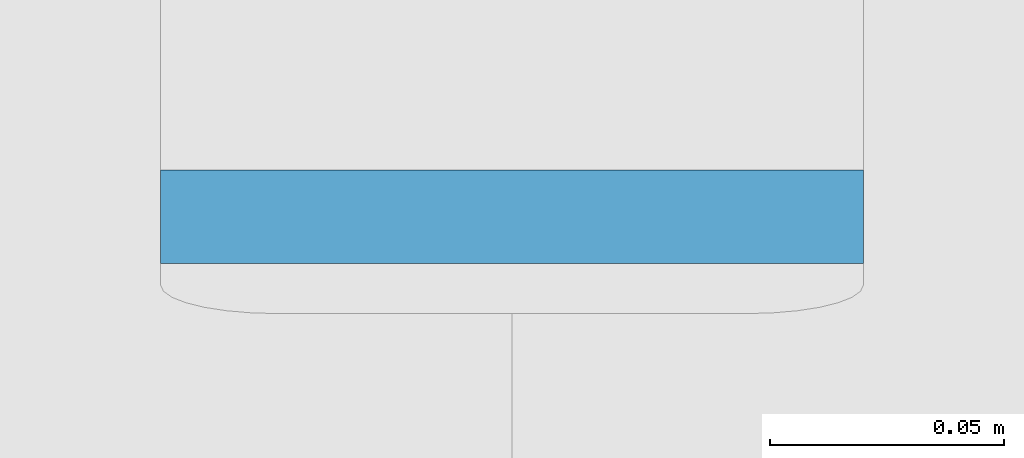
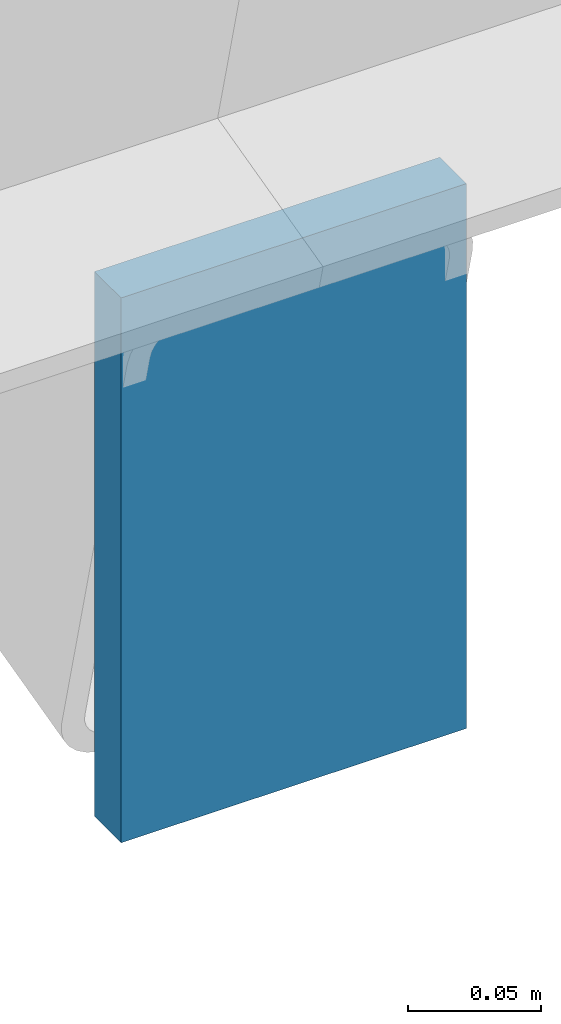
# One storey, part 65 of 114: 1 discrete accessory.
"""IFC4 building model written with IfcOpenShell, lengths in metres."""

from ifc_helpers import new_model, si_unit, direction, frame, origin, origin_2d, place, context, subcontext, project, spatial, rectangle, extrude, material, type_object, element, save


model = new_model("IFC4")

# Units and contexts
model_context = context("Model", 3, precision=1e-05, world=origin(), true_north=direction((0.0, 1.0)))
body_context = subcontext(model_context, "Body", "Model", "MODEL_VIEW")
ifc_project = project(units=[si_unit("LENGTHUNIT", "METRE"), si_unit("AREAUNIT", "SQUARE_METRE"), si_unit("VOLUMEUNIT", "CUBIC_METRE"), si_unit("PLANEANGLEUNIT", "RADIAN"), si_unit("MASSUNIT", "GRAM", prefix="KILO")], contexts=[model_context])

# Site, building, storey
site_placement = place(None, origin())
site = spatial("IfcSite", under=ifc_project, at=site_placement, CompositionType="ELEMENT")
building_placement = place(site_placement, origin())
building = spatial("IfcBuilding", under=site, at=building_placement, Name="Almond Square Museum", CompositionType="ELEMENT")
storey_placement = place(building_placement, frame((0.0, 0.0, 10.5)))
storey = spatial("IfcBuildingStorey", under=building, at=storey_placement, Name="L02", CompositionType="ELEMENT", Elevation=10.5)

# Discrete accessory
ifc_material = material(Name="Structural steel S355", Category="steel")
discrete_accessory_type = type_object("IfcDiscreteAccessoryType", Name="Truss end cap", PredefinedType="BRACKET", material=ifc_material)
discrete_accessory_placement = place(storey_placement, frame((31.199951171875, 74.090087890625, 0.10009765625), z_axis=(0.0, 0.0, 1.0), x_axis=(1.0, 0.0, 0.0)))
element("IfcDiscreteAccessory", 1, at=discrete_accessory_placement, inside=storey, type_object=discrete_accessory_type, Name="Truss end cap", PredefinedType="BRACKET", context=body_context, shape_type="SweptSolid", body=[
    extrude(rectangle(XDim=0.14990234375, YDim=0.02001953125, at=origin_2d()), origin(), (0.0, 0.0, 1.0), 0.25),
])

save(model, "model.ifc")
